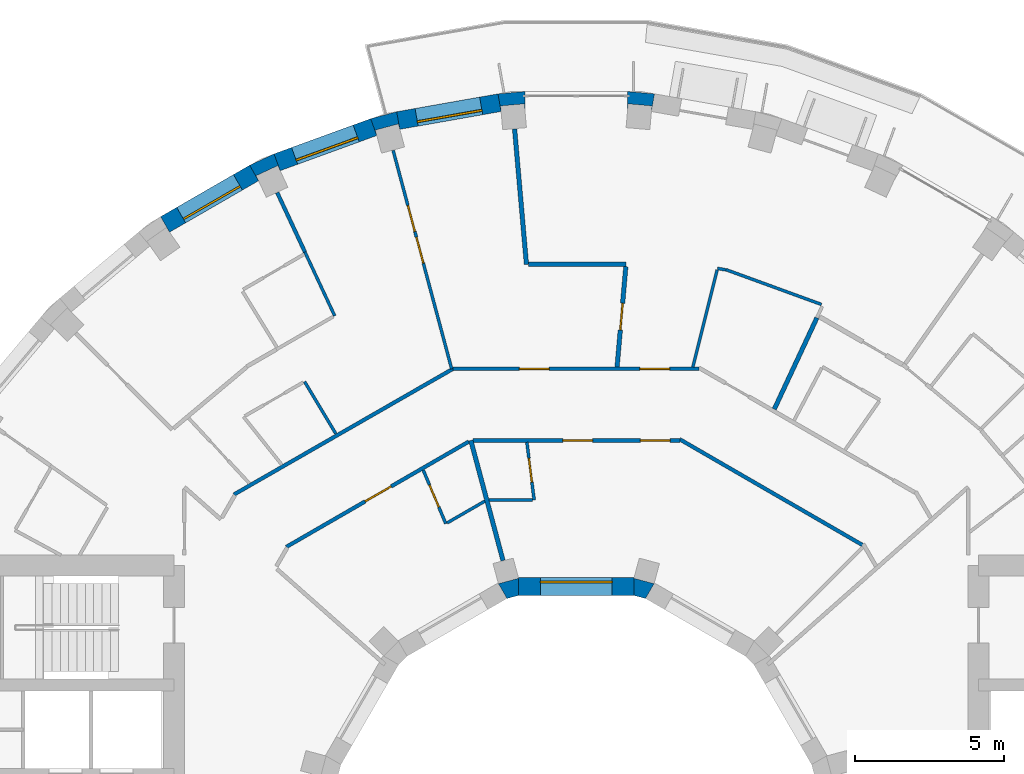
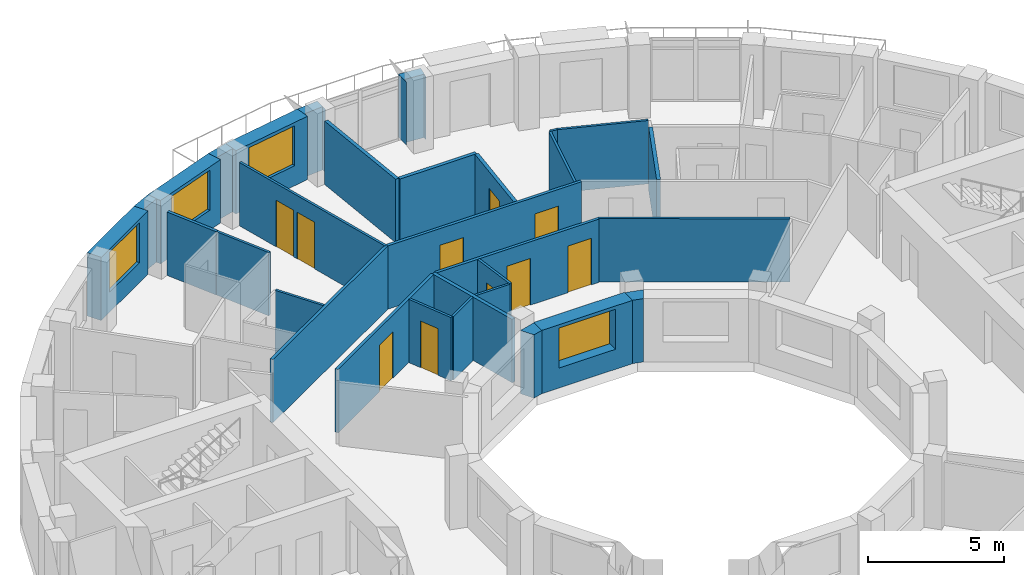
# One storey, part 10 of 13: 31 walls, 10 doors, 4 windows, 14 openings.
"""IFC4 building model written with IfcOpenShell, lengths in metres."""

import ifcopenshell
import ifcopenshell.guid

model = None  # the IFC model being written
_history = None  # IfcOwnerHistory: only IFC2X3 demands one
_inside = {}  # id of a spatial element -> (the spatial element, [elements in it])
_under = {}  # id of a project, library or spatial element -> (it, [spatial elements below it])
_declared = {}  # id of a project -> (the project, [libraries it declares])
_typed = {}  # id of a type object -> (the type object, [elements of that type])
_made_of = {}  # id of a material, layer set ... -> (it, [elements and type objects made of it])


def new_model(schema):
    """Start an empty IFC model of exactly this schema.

    Asked for "IFC4X3", IfcOpenShell would pick the latest addendum, in which some entities
    have other attributes; the version numbers below select the first issue.
    IFC2X3 requires an IfcOwnerHistory on every rooted entity: one is made here for all.
    """
    global model, _history
    if schema == "IFC4X3":
        model = ifcopenshell.file(schema_version=(4, 3, 0, 0))
    else:
        model = ifcopenshell.file(schema=schema)
    _inside.clear()
    _under.clear()
    _declared.clear()
    _typed.clear()
    _made_of.clear()
    _history = None
    if model.schema == "IFC2X3":
        org = make("IfcOrganization", Name="unknown")
        user = make(
            "IfcPersonAndOrganization",
            ThePerson=make("IfcPerson", FamilyName="unknown"),
            TheOrganization=org,
        )
        app = make(
            "IfcApplication",
            ApplicationDeveloper=org,
            Version="unknown",
            ApplicationFullName="unknown",
            ApplicationIdentifier="unknown",
        )
        _history = make(
            "IfcOwnerHistory",
            OwningUser=user,
            OwningApplication=app,
            ChangeAction="ADDED",
            CreationDate=0,
        )
    return model


def make(cls, **values):
    """One entity of the class cls with the attributes given. An attribute that is None is left unset."""
    return model.create_entity(
        cls, **{name: value for name, value in values.items() if value is not None}
    )


def rooted(cls, **values):
    """An entity with a GlobalId (a new one), such as an element, a storey or a relation."""
    return make(cls, GlobalId=ifcopenshell.guid.new(), OwnerHistory=_history, **values)


def si_unit(unit_type, name, prefix=None):
    """IfcSIUnit, for example si_unit("LENGTHUNIT", "METRE", prefix="MILLI")."""
    return make("IfcSIUnit", UnitType=unit_type, Prefix=prefix, Name=name)


def assignment(units):
    """IfcUnitAssignment: the units of a project."""
    return None if units is None else make("IfcUnitAssignment", Units=units)


def point(xyz):
    """IfcCartesianPoint."""
    return None if xyz is None else make("IfcCartesianPoint", Coordinates=xyz)


def direction(xyz):
    """IfcDirection."""
    return None if xyz is None else make("IfcDirection", DirectionRatios=xyz)


def frame(location, z_axis=None, x_axis=None):
    """IfcAxis2Placement3D, a coordinate frame: its origin and axes. An axis left out is left unset."""
    return make(
        "IfcAxis2Placement3D",
        Location=point(location),
        Axis=direction(z_axis),
        RefDirection=direction(x_axis),
    )


def frame_2d(location, x_axis=None):
    """IfcAxis2Placement2D, a coordinate frame in the plane: its origin and x axis."""
    return make(
        "IfcAxis2Placement2D", Location=point(location), RefDirection=direction(x_axis)
    )


def origin():
    """The frame at (0, 0, 0) with its axes left unset."""
    return frame((0.0, 0.0, 0.0))


def place(relative_to, where):
    """IfcLocalPlacement: puts the frame where relative to a parent placement (None: the world)."""
    return make(
        "IfcLocalPlacement", PlacementRelTo=relative_to, RelativePlacement=where
    )


def context(
    kind, dimensions, precision=None, world=None, true_north=None, identifier=None
):
    """IfcGeometricRepresentationContext, for example the 3D "Model" context."""
    return make(
        "IfcGeometricRepresentationContext",
        ContextIdentifier=identifier,
        ContextType=kind,
        CoordinateSpaceDimension=dimensions,
        Precision=precision,
        WorldCoordinateSystem=world,
        TrueNorth=true_north,
    )


def subcontext(parent, identifier, kind, view, scale=None):
    """IfcGeometricRepresentationSubContext, for example "Body" below "Model"."""
    return make(
        "IfcGeometricRepresentationSubContext",
        ContextIdentifier=identifier,
        ContextType=kind,
        ParentContext=parent,
        TargetScale=scale,
        TargetView=view,
    )


def project(units=None, contexts=None):
    """IfcProject with its units and contexts."""
    return rooted(
        "IfcProject",
        Name="project",
        RepresentationContexts=contexts,
        UnitsInContext=assignment(units),
    )


def spatial(cls, under=None, at=None, **own):
    """A site, building, storey or space (cls), placed at a placement, below another one or the project."""
    s = rooted(cls, ObjectPlacement=at, **own)
    if under is not None:
        _under.setdefault(under.id(), (under, []))[1].append(s)
    return s


def polyline(points):
    """IfcPolyline through the points."""
    return make("IfcPolyline", Points=[point(p) for p in points])


def profile(cls, at=None, kind="AREA", **sizes):
    """A parametric profile (cls). Its sizes go by their IFC names, for example OverallWidth=200.0."""
    return make(cls, ProfileType=kind, Position=at, **sizes)


def rectangle(**sizes):
    """IfcRectangleProfileDef."""
    return profile("IfcRectangleProfileDef", **sizes)


def outline(outer, holes=None, kind="AREA"):
    """IfcArbitraryClosedProfileDef: a profile drawn as a closed curve; with holes, ...WithVoids."""
    if holes is None:
        return make("IfcArbitraryClosedProfileDef", ProfileType=kind, OuterCurve=outer)
    return make(
        "IfcArbitraryProfileDefWithVoids",
        ProfileType=kind,
        OuterCurve=outer,
        InnerCurves=holes,
    )


def extrude(swept, where, along, depth):
    """IfcExtrudedAreaSolid: the profile swept, set in the frame where, extruded along a direction by depth."""
    return make(
        "IfcExtrudedAreaSolid",
        SweptArea=swept,
        Position=where,
        ExtrudedDirection=direction(along),
        Depth=depth,
    )


def shape(context_of_items, identifier, shape_type, items):
    """IfcShapeRepresentation: the items that make up one representation, for example the "Body"."""
    return make(
        "IfcShapeRepresentation",
        ContextOfItems=context_of_items,
        RepresentationIdentifier=identifier,
        RepresentationType=shape_type,
        Items=items,
    )


def material(Name=None, Category=None):
    """IfcMaterial."""
    return make("IfcMaterial", Name=Name, Category=Category)


def layer(
    of_material, thickness, ventilated=None, Name=None, Category=None, Priority=None
):
    """IfcMaterialLayer: one layer of a wall or slab, of a material (None: an air gap)."""
    return make(
        "IfcMaterialLayer",
        Material=of_material,
        LayerThickness=thickness,
        IsVentilated=ventilated,
        Name=Name,
        Category=Category,
        Priority=Priority,
    )


def layer_set(layers, Name=None):
    """IfcMaterialLayerSet."""
    return make("IfcMaterialLayerSet", MaterialLayers=layers, LayerSetName=Name)


def made_of(thing, what):
    """Note that an element or type object is made of a material, layer set ...; save() writes the relation."""
    if what is not None:
        _made_of.setdefault(what.id(), (what, []))[1].append(thing)
    return thing


def type_object(cls, material=None, **own):
    """A type object (cls), such as IfcWallType, which elements share."""
    return made_of(rooted(cls, **own), material)


def element(
    cls,
    number,
    at=None,
    inside=None,
    cuts=None,
    type_object=None,
    material=None,
    context=None,
    identifier="Body",
    shape_type=None,
    held_by="IfcProductDefinitionShape",
    body=None,
    shapes=None,
    **own,
):
    """One element of the class cls, such as IfcWall. Its Tag is "e" and its number.

    at: its placement. inside: the storey or other place that contains it. cuts: it is an
    opening in that element (IfcRelVoidsElement). A single representation is given by context,
    identifier, shape_type and body (its items); several are given by shapes. held_by: the class
    of the entity that holds the representations. save() writes the other relations.
    """
    e = rooted(cls, Tag="e%d" % number, ObjectPlacement=at, **own)
    if body is not None:
        shapes = [shape(context, identifier, shape_type, body)]
    if shapes is not None:
        e.Representation = make(held_by, Representations=shapes)
    if inside is not None:
        _inside.setdefault(inside.id(), (inside, []))[1].append(e)
    if cuts is not None:
        rooted(
            "IfcRelVoidsElement", RelatingBuildingElement=cuts, RelatedOpeningElement=e
        )
    if type_object is not None:
        _typed.setdefault(type_object.id(), (type_object, []))[1].append(e)
    return made_of(e, material)


def fill(opening, filler):
    """IfcRelFillsElement: the door or window that sits in an opening."""
    return rooted(
        "IfcRelFillsElement",
        RelatingOpeningElement=opening,
        RelatedBuildingElement=filler,
    )


def aggregate(whole, parts):
    """IfcRelAggregates: a whole, such as a stair, and the parts it consists of."""
    return rooted("IfcRelAggregates", RelatingObject=whole, RelatedObjects=parts)


def save(model, path):
    """Write the relations noted so far, then the file.

    IfcRelAggregates (storeys below a building ...), IfcRelContainedInSpatialStructure (elements
    in a storey), IfcRelDefinesByType, IfcRelAssociatesMaterial and IfcRelDeclares: one each for
    every whole, place, type object, material and project.
    """
    for whole, parts in _under.values():
        aggregate(whole, parts)
    for where, things in _inside.values():
        rooted(
            "IfcRelContainedInSpatialStructure",
            RelatedElements=things,
            RelatingStructure=where,
        )
    for kind, things in _typed.values():
        rooted("IfcRelDefinesByType", RelatedObjects=things, RelatingType=kind)
    for what, things in _made_of.values():
        rooted("IfcRelAssociatesMaterial", RelatedObjects=things, RelatingMaterial=what)
    for by, libraries in _declared.values():
        rooted("IfcRelDeclares", RelatingContext=by, RelatedDefinitions=libraries)
    model.write(path)


model = new_model("IFC4")

# Units and contexts
model_context = context("Model", 3, precision=1e-05, world=origin(), true_north=direction((0.0, 1.0)))
body_context = subcontext(model_context, "Body", "Model", "MODEL_VIEW")
ifc_project = project(units=[si_unit("LENGTHUNIT", "METRE"), si_unit("AREAUNIT", "SQUARE_METRE"), si_unit("VOLUMEUNIT", "CUBIC_METRE"), si_unit("PLANEANGLEUNIT", "RADIAN"), si_unit("MASSUNIT", "GRAM", prefix="KILO")], contexts=[model_context])

# Site, building, storey
site_placement = place(None, origin())
site = spatial("IfcSite", under=ifc_project, at=site_placement, CompositionType="ELEMENT")
building_placement = place(site_placement, origin())
building = spatial("IfcBuilding", under=site, at=building_placement, Name="Saqina Gate Tower", CompositionType="ELEMENT")
storey_placement = place(building_placement, frame((0.0, 0.0, 203.699951171875)))
storey = spatial("IfcBuildingStorey", under=building, at=storey_placement, Name="L58", CompositionType="ELEMENT", Elevation=203.699951171875)

# Walls
ifc_material_1 = material(Name="Brick masonry (buff)", Category="masonry")
wall_type_1 = type_object("IfcWallType", Name="BRICK PIER COPING BUFF", PredefinedType="SOLIDWALL", material=ifc_material_1)
wall_1_placement = place(storey_placement, origin())
element("IfcWall", 1, at=wall_1_placement, inside=storey, type_object=wall_type_1, Name="Pier cap L58 column 9", PredefinedType="SOLIDWALL", context=body_context, shape_type="SweptSolid", body=[
    extrude(outline(polyline([(2.6259765625, 24.825927734375), (1.724853515625, 24.90478515625), (1.724853515625, 24.304931640625), (1.7412109375, 24.491455078125), (2.5380859375, 24.421630859375), (2.521728515625, 24.235107421875), (2.6259765625, 24.825927734375)])), origin(), (0.0, 0.0, 1.0), 2.85009765625),
])
wall_2_placement = place(storey_placement, origin())
element("IfcWall", 2, at=wall_2_placement, inside=storey, type_object=wall_type_1, Name="Pier cap L58 column 10", PredefinedType="SOLIDWALL", context=body_context, shape_type="SweptSolid", body=[
    extrude(outline(polyline([(-1.724853515625, 24.90478515625), (-2.6259765625, 24.825927734375), (-2.521728515625, 24.235107421875), (-2.5380859375, 24.421630859375), (-1.7412109375, 24.491455078125), (-1.724853515625, 24.304931640625), (-1.724853515625, 24.90478515625)])), origin(), (0.0, 0.0, 1.0), 2.85009765625),
])
wall_3_placement = place(storey_placement, origin())
element("IfcWall", 3, at=wall_3_placement, inside=storey, type_object=wall_type_1, Name="Pier cap L58 column 11", PredefinedType="SOLIDWALL", context=body_context, shape_type="SweptSolid", body=[
    extrude(outline(polyline([(-6.0234375, 24.22705078125), (-6.897216796875, 23.992919921875), (-6.69189453125, 23.428955078125), (-6.740478515625, 23.610107421875), (-5.967529296875, 23.81689453125), (-5.919189453125, 23.635986328125), (-6.0234375, 24.22705078125)])), origin(), (0.0, 0.0, 1.0), 2.85009765625),
])
wall_4_placement = place(storey_placement, origin())
element("IfcWall", 4, at=wall_4_placement, inside=storey, type_object=wall_type_1, Name="Pier cap L58 column 12", PredefinedType="SOLIDWALL", context=body_context, shape_type="SweptSolid", body=[
    extrude(outline(polyline([(-10.958740234375, 22.4306640625), (-10.65869140625, 21.9111328125), (-10.73779296875, 22.080810546875), (-10.0126953125, 22.4189453125), (-9.93359375, 22.249267578125), (-10.138916015625, 22.81298828125), (-10.958740234375, 22.4306640625)])), origin(), (0.0, 0.0, 1.0), 2.85009765625),
])

# Wall, opening, window
ifc_material_2 = material(Name="Brick masonry (buff)", Category="masonry")
ifc_layer_1 = layer(ifc_material_2, 0.60009765625)
ifc_layer_set_1 = layer_set([ifc_layer_1], Name="FW-BRICK-BUFF")
wall_type_2 = type_object("IfcWallType", Name="FW-BRICK-BUFF", PredefinedType="SOLIDWALL", material=ifc_layer_set_1)
wall_5_placement = place(storey_placement, frame((-2.573974609375, 24.530517578125, 0.0), z_axis=(0.0, 0.0, 1.0), x_axis=(-0.984814892183, -0.173607684551, 0.0)))
wall_5 = element("IfcWall", 5, at=wall_5_placement, inside=storey, type_object=wall_type_2, Name="Facade wall L58 facet 10", PredefinedType="SOLIDWALL", context=body_context, shape_type="SweptSolid", body=[
    extrude(rectangle(XDim=3.44970703125, YDim=0.60009765625, at=frame_2d((1.724853515625, 0.0))), origin(), (0.0, 0.0, 1.0), 2.85009765625),
])
opening_1_placement = place(wall_5_placement, frame((0.625, 0.0, 0.89990234375)))
opening_1 = element("IfcOpeningElement", 6, at=opening_1_placement, cuts=wall_5, Name="Opening G17-W04", PredefinedType="OPENING", context=body_context, shape_type="SweptSolid", body=[
    extrude(rectangle(XDim=2.199951171875, YDim=1.800048828125, at=frame_2d((1.10009765625, 0.89990234375))), frame((0.0, 0.31201171875, 0.0), z_axis=(0.0, -1.0, 0.0), x_axis=(1.0, 0.0, 0.0)), (0.0, 0.0, 1.0), 0.6240234375),
])
ifc_material_3 = material(Name="Aluminium glazing", Category="aluminium")
window_type_1 = type_object("IfcWindowType", Name="WN-C", PartitioningType="SINGLE_PANEL", PredefinedType="WINDOW", material=ifc_material_3)
window_1_placement = place(opening_1_placement, origin())
window_1 = element("IfcWindow", 7, at=window_1_placement, inside=storey, type_object=window_type_1, Name="Window L58 facet 10", OverallHeight=1.800048828125, OverallWidth=2.199951171875, PartitioningType="SINGLE_PANEL", PredefinedType="WINDOW", context=body_context, shape_type="SweptSolid", body=[
    extrude(rectangle(XDim=2.199951171875, YDim=1.800048828125, at=frame_2d((1.10009765625, 0.89990234375))), frame((0.0, 0.179931640625, 0.0), z_axis=(0.0, -1.0, 0.0), x_axis=(1.0, 0.0, 0.0)), (0.0, 0.0, 1.0), 0.06005859375),
])
fill(opening_1, window_1)

wall_6_placement = place(storey_placement, frame((-6.79443359375, 23.7109375, 0.0), z_axis=(0.0, 0.0, 1.0), x_axis=(-0.93968799822, -0.342032843455, 0.0)))
wall_6 = element("IfcWall", 8, at=wall_6_placement, inside=storey, type_object=wall_type_2, Name="Facade wall L58 facet 11", PredefinedType="SOLIDWALL", context=body_context, shape_type="SweptSolid", body=[
    extrude(rectangle(XDim=3.44970703125, YDim=0.60009765625, at=frame_2d((1.724853515625, 0.0))), origin(), (0.0, 0.0, 1.0), 2.85009765625),
])
opening_2_placement = place(wall_6_placement, frame((0.625, 0.0, 0.89990234375)))
opening_2 = element("IfcOpeningElement", 9, at=opening_2_placement, cuts=wall_6, Name="Opening G17-W05", PredefinedType="OPENING", context=body_context, shape_type="SweptSolid", body=[
    extrude(rectangle(XDim=2.199951171875, YDim=1.800048828125, at=frame_2d((1.10009765625, 0.89990234375))), frame((0.0, 0.31201171875, 0.0), z_axis=(0.0, -1.0, 0.0), x_axis=(1.0, 0.0, 0.0)), (0.0, 0.0, 1.0), 0.6240234375),
])
window_2_placement = place(opening_2_placement, origin())
window_2 = element("IfcWindow", 10, at=window_2_placement, inside=storey, type_object=window_type_1, Name="Window L58 facet 11", OverallHeight=1.800048828125, OverallWidth=2.199951171875, PartitioningType="SINGLE_PANEL", PredefinedType="WINDOW", context=body_context, shape_type="SweptSolid", body=[
    extrude(rectangle(XDim=2.199951171875, YDim=1.800048828125, at=frame_2d((1.10009765625, 0.89990234375))), frame((0.0, 0.179931640625, 0.0), z_axis=(0.0, -1.0, 0.0), x_axis=(1.0, 0.0, 0.0)), (0.0, 0.0, 1.0), 0.06005859375),
])
fill(opening_2, window_2)

wall_7_placement = place(storey_placement, frame((-10.80859375, 22.1708984375, 0.0), z_axis=(0.0, 0.0, 1.0), x_axis=(-0.86602648383, -0.499998129301, 0.0)))
wall_7 = element("IfcWall", 11, at=wall_7_placement, inside=storey, type_object=wall_type_2, Name="Facade wall L58 facet 12", PredefinedType="SOLIDWALL", context=body_context, shape_type="SweptSolid", body=[
    extrude(rectangle(XDim=3.44970703125, YDim=0.60009765625, at=frame_2d((1.724853515625, 0.0))), origin(), (0.0, 0.0, 1.0), 2.85009765625),
])
opening_3_placement = place(wall_7_placement, frame((0.625, 0.0, 0.89990234375)))
opening_3 = element("IfcOpeningElement", 12, at=opening_3_placement, cuts=wall_7, Name="Opening G17-W06", PredefinedType="OPENING", context=body_context, shape_type="SweptSolid", body=[
    extrude(rectangle(XDim=2.199951171875, YDim=1.800048828125, at=frame_2d((1.10009765625, 0.89990234375))), frame((0.0, 0.31201171875, 0.0), z_axis=(0.0, -1.0, 0.0), x_axis=(1.0, 0.0, 0.0)), (0.0, 0.0, 1.0), 0.6240234375),
])
window_3_placement = place(opening_3_placement, origin())
window_3 = element("IfcWindow", 13, at=window_3_placement, inside=storey, type_object=window_type_1, Name="Window L58 facet 12", OverallHeight=1.800048828125, OverallWidth=2.199951171875, PartitioningType="SINGLE_PANEL", PredefinedType="WINDOW", context=body_context, shape_type="SweptSolid", body=[
    extrude(rectangle(XDim=2.199951171875, YDim=1.800048828125, at=frame_2d((1.10009765625, 0.89990234375))), frame((0.0, 0.179931640625, 0.0), z_axis=(0.0, -1.0, 0.0), x_axis=(1.0, 0.0, 0.0)), (0.0, 0.0, 1.0), 0.06005859375),
])
fill(opening_3, window_3)

ifc_material_4 = material(Name="Glazed ceramic tile", Category="ceramic")
ifc_layer_2 = layer(ifc_material_4, 0.60009765625)
ifc_layer_set_2 = layer_set([ifc_layer_2], Name="IW-TILE")
wall_type_3 = type_object("IfcWallType", Name="IW-TILE", PredefinedType="SOLIDWALL", material=ifc_layer_set_2)
wall_8_placement = place(storey_placement, frame((1.934814453125, 8.300048828125, 0.0), z_axis=(0.0, 0.0, 1.0), x_axis=(-1.0, 0.0, 0.0)))
wall_8 = element("IfcWall", 14, at=wall_8_placement, inside=storey, type_object=wall_type_3, Name="Well wall L58 facet 3", PredefinedType="SOLIDWALL", context=body_context, shape_type="SweptSolid", body=[
    extrude(rectangle(XDim=3.86962890625, YDim=0.60009765625, at=frame_2d((1.934814453125, 0.0))), origin(), (0.0, 0.0, 1.0), 2.85009765625),
])
opening_4_placement = place(wall_8_placement, frame((0.73486328125, 0.0, 0.89990234375)))
opening_4 = element("IfcOpeningElement", 15, at=opening_4_placement, cuts=wall_8, Name="Opening G17-W25", PredefinedType="OPENING", context=body_context, shape_type="SweptSolid", body=[
    extrude(rectangle(XDim=2.39990234375, YDim=1.800048828125, at=frame_2d((1.199951171875, 0.89990234375))), frame((0.0, 0.31201171875, 0.0), z_axis=(0.0, -1.0, 0.0), x_axis=(1.0, 0.0, 0.0)), (0.0, 0.0, 1.0), 0.6240234375),
])
ifc_material_5 = material(Name="Aluminium glazing", Category="aluminium")
window_type_2 = type_object("IfcWindowType", Name="WN-W", PartitioningType="SINGLE_PANEL", PredefinedType="WINDOW", material=ifc_material_5)
window_4_placement = place(opening_4_placement, origin())
window_4 = element("IfcWindow", 16, at=window_4_placement, inside=storey, type_object=window_type_2, Name="Well window L58 facet 3", OverallHeight=1.800048828125, OverallWidth=2.39990234375, PartitioningType="SINGLE_PANEL", PredefinedType="WINDOW", context=body_context, shape_type="SweptSolid", body=[
    extrude(rectangle(XDim=2.39990234375, YDim=1.800048828125, at=frame_2d((1.199951171875, 0.89990234375))), frame((0.0, -0.119873046875, 0.0), z_axis=(0.0, -1.0, 0.0), x_axis=(1.0, 0.0, 0.0)), (0.0, 0.0, 1.0), 0.06005859375),
])
fill(opening_4, window_4)

# Wall, opening, door
ifc_material_6 = material(Name="Gypsum board on steel studs, 100 mm", Category="steel")
ifc_layer_3 = layer(ifc_material_6, 0.10009765625)
ifc_layer_set_3 = layer_set([ifc_layer_3], Name="PARTITION 100")
wall_type_4 = type_object("IfcWallType", Name="PARTITION 100", PredefinedType="PARTITIONING", material=ifc_layer_set_3)
wall_9_placement = place(storey_placement, frame((-1.65625, 13.137939453125, 0.0), z_axis=(0.0, 0.0, 1.0), x_axis=(0.124988435199, -0.992158198609, 0.0)))
wall_9 = element("IfcWall", 17, at=wall_9_placement, inside=storey, type_object=wall_type_4, Name="PARTITION PW3-02", PredefinedType="PARTITIONING", context=body_context, shape_type="SweptSolid", body=[
    extrude(rectangle(XDim=1.953369140625, YDim=0.10009765625, at=frame_2d((0.9765625, 0.0))), origin(), (0.0, 0.0, 1.0), 2.85009765625),
])
opening_5_placement = place(wall_9_placement, frame((0.54541015625, 0.0, 0.0)))
opening_5 = element("IfcOpeningElement", 18, at=opening_5_placement, cuts=wall_9, Name="Opening G17-D15", PredefinedType="OPENING", context=body_context, shape_type="SweptSolid", body=[
    extrude(rectangle(XDim=0.800048828125, YDim=2.10009765625, at=frame_2d((0.39990234375, 1.050048828125))), frame((0.0, 0.06201171875, 0.0), z_axis=(0.0, -1.0, 0.0), x_axis=(1.0, 0.0, 0.0)), (0.0, 0.0, 1.0), 0.1240234375),
])
ifc_material_7 = material(Name="Timber door leaf, 800 mm", Category="wood")
door_type_1 = type_object("IfcDoorType", Name="DOOR 800 TIMBER", OperationType="SINGLE_SWING_LEFT", PredefinedType="DOOR", material=ifc_material_7)
door_1_placement = place(opening_5_placement, origin())
door_1 = element("IfcDoor", 19, at=door_1_placement, inside=storey, type_object=door_type_1, Name="DOOR G17-D15", OperationType="SINGLE_SWING_LEFT", OverallHeight=2.10009765625, OverallWidth=0.800048828125, PredefinedType="DOOR", context=body_context, shape_type="SweptSolid", body=[
    extrude(rectangle(XDim=0.800048828125, YDim=2.10009765625, at=frame_2d((0.39990234375, 1.050048828125))), frame((0.0, 0.02490234375, 0.0), z_axis=(0.0, -1.0, 0.0), x_axis=(1.0, 0.0, 0.0)), (0.0, 0.0, 1.0), 0.050048828125),
])
fill(opening_5, door_1)

# Wall, openings, doors
wall_10_placement = place(storey_placement, frame((-6.14404296875, 22.93115234375, 0.0), z_axis=(0.0, 0.0, 1.0), x_axis=(0.258789681819, -0.965933693679, 0.0)))
wall_10 = element("IfcWall", 20, at=wall_10_placement, inside=storey, type_object=wall_type_4, Name="PARTITION PW3-03", PredefinedType="PARTITIONING", context=body_context, shape_type="SweptSolid", body=[
    extrude(rectangle(XDim=7.589599609375, YDim=0.10009765625, at=frame_2d((3.794921875, 0.0))), origin(), (0.0, 0.0, 1.0), 2.85009765625),
])
opening_6_placement = place(wall_10_placement, frame((3.016357421875, 0.0, 0.0)))
opening_6 = element("IfcOpeningElement", 21, at=opening_6_placement, cuts=wall_10, Name="Opening G17-D16", PredefinedType="OPENING", context=body_context, shape_type="SweptSolid", body=[
    extrude(rectangle(XDim=0.89990234375, YDim=2.10009765625, at=frame_2d((0.449951171875, 1.050048828125))), frame((0.0, 0.06201171875, 0.0), z_axis=(0.0, -1.0, 0.0), x_axis=(1.0, 0.0, 0.0)), (0.0, 0.0, 1.0), 0.1240234375),
])
opening_7_placement = place(wall_10_placement, frame((1.916259765625, 0.0, 0.0)))
opening_7 = element("IfcOpeningElement", 22, at=opening_7_placement, cuts=wall_10, Name="Opening G17-D17", PredefinedType="OPENING", context=body_context, shape_type="SweptSolid", body=[
    extrude(rectangle(XDim=0.89990234375, YDim=2.10009765625, at=frame_2d((0.449951171875, 1.050048828125))), frame((0.0, 0.06201171875, 0.0), z_axis=(0.0, -1.0, 0.0), x_axis=(1.0, 0.0, 0.0)), (0.0, 0.0, 1.0), 0.1240234375),
])
ifc_material_8 = material(Name="Timber door leaf, 900 mm", Category="wood")
door_type_2 = type_object("IfcDoorType", Name="DOOR 900 TIMBER", OperationType="SINGLE_SWING_LEFT", PredefinedType="DOOR", material=ifc_material_8)
door_2_placement = place(opening_6_placement, frame((0.89990234375, 0.0, 0.0), z_axis=(0.0, 0.0, 1.0), x_axis=(-1.0, 0.0, 0.0)))
door_2 = element("IfcDoor", 23, at=door_2_placement, inside=storey, type_object=door_type_2, Name="DOOR G17-D16", OperationType="SINGLE_SWING_RIGHT", OverallHeight=2.10009765625, OverallWidth=0.89990234375, PredefinedType="DOOR", context=body_context, shape_type="SweptSolid", body=[
    extrude(rectangle(XDim=0.89990234375, YDim=2.10009765625, at=frame_2d((0.449951171875, 1.050048828125))), frame((0.0, 0.02490234375, 0.0), z_axis=(0.0, -1.0, 0.0), x_axis=(1.0, 0.0, 0.0)), (0.0, 0.0, 1.0), 0.050048828125),
])
fill(opening_6, door_2)
door_3_placement = place(opening_7_placement, frame((0.89990234375, 0.0, 0.0), z_axis=(0.0, 0.0, 1.0), x_axis=(-1.0, 0.0, 0.0)))
door_3 = element("IfcDoor", 24, at=door_3_placement, inside=storey, type_object=door_type_2, Name="DOOR G17-D17", OperationType="SINGLE_SWING_RIGHT", OverallHeight=2.10009765625, OverallWidth=0.89990234375, PredefinedType="DOOR", context=body_context, shape_type="SweptSolid", body=[
    extrude(rectangle(XDim=0.89990234375, YDim=2.10009765625, at=frame_2d((0.449951171875, 1.050048828125))), frame((0.0, 0.02490234375, 0.0), z_axis=(0.0, -1.0, 0.0), x_axis=(1.0, 0.0, 0.0)), (0.0, 0.0, 1.0), 0.050048828125),
])
fill(opening_7, door_3)

# Wall, opening, door
wall_11_placement = place(storey_placement, frame((-5.134521484375, 12.2060546875, 0.0), z_axis=(0.0, 0.0, 1.0), x_axis=(0.387906100406, -0.921698897291, 0.0)))
wall_11 = element("IfcWall", 25, at=wall_11_placement, inside=storey, type_object=wall_type_4, Name="PARTITION PW3-06", PredefinedType="PARTITIONING", context=body_context, shape_type="SweptSolid", body=[
    extrude(rectangle(XDim=1.952880859375, YDim=0.10009765625, at=frame_2d((0.9765625, 0.0))), origin(), (0.0, 0.0, 1.0), 2.85009765625),
])
opening_8_placement = place(wall_11_placement, frame((0.544921875, 0.0, 0.0)))
opening_8 = element("IfcOpeningElement", 26, at=opening_8_placement, cuts=wall_11, Name="Opening G17-D18", PredefinedType="OPENING", context=body_context, shape_type="SweptSolid", body=[
    extrude(rectangle(XDim=0.800048828125, YDim=2.10009765625, at=frame_2d((0.39990234375, 1.050048828125))), frame((0.0, 0.06201171875, 0.0), z_axis=(0.0, -1.0, 0.0), x_axis=(1.0, 0.0, 0.0)), (0.0, 0.0, 1.0), 0.1240234375),
])
door_4_placement = place(opening_8_placement, frame((0.800048828125, 0.0, 0.0), z_axis=(0.0, 0.0, 1.0), x_axis=(-1.0, 0.0, 0.0)))
door_4 = element("IfcDoor", 27, at=door_4_placement, inside=storey, type_object=door_type_1, Name="DOOR G17-D18", OperationType="SINGLE_SWING_RIGHT", OverallHeight=2.10009765625, OverallWidth=0.800048828125, PredefinedType="DOOR", context=body_context, shape_type="SweptSolid", body=[
    extrude(rectangle(XDim=0.800048828125, YDim=2.10009765625, at=frame_2d((0.39990234375, 1.050048828125))), frame((0.0, 0.02490234375, 0.0), z_axis=(0.0, -1.0, 0.0), x_axis=(1.0, 0.0, 0.0)), (0.0, 0.0, 1.0), 0.050048828125),
])
fill(opening_8, door_4)

# Walls
wall_12_placement = place(storey_placement, frame((-9.1025390625, 19.51904296875, 0.0), z_axis=(0.0, 0.0, 1.0), x_axis=(0.422834478158, -0.906206932263, 0.0)))
element("IfcWall", 28, at=wall_12_placement, inside=storey, type_object=wall_type_4, Name="PARTITION PW3-08", PredefinedType="PARTITIONING", context=body_context, shape_type="SweptSolid", body=[
    extrude(rectangle(XDim=2.359130859375, YDim=0.10009765625, at=frame_2d((1.1796875, 0.0))), origin(), (0.0, 0.0, 1.0), 2.85009765625),
])
wall_13_placement = place(storey_placement, frame((-9.114990234375, 15.171142578125, 0.0), z_axis=(0.0, 0.0, 1.0), x_axis=(0.514495755428, -0.857492925713, 0.0)))
element("IfcWall", 29, at=wall_13_placement, inside=storey, type_object=wall_type_4, Name="PARTITION PW3-11", PredefinedType="PARTITIONING", context=body_context, shape_type="SweptSolid", body=[
    extrude(rectangle(XDim=2.031494140625, YDim=0.10009765625, at=frame_2d((1.015625, 0.0))), origin(), (0.0, 0.0, 1.0), 2.85009765625),
])
wall_14_placement = place(storey_placement, frame((5.020263671875, 18.9296875, 0.0), z_axis=(0.0, 0.0, 1.0), x_axis=(0.939619985891, -0.342219640165, 0.0)))
element("IfcWall", 30, at=wall_14_placement, inside=storey, type_object=wall_type_4, Name="PARTITION PW3-33", PredefinedType="PARTITIONING", context=body_context, shape_type="SweptSolid", body=[
    extrude(rectangle(XDim=3.41357421875, YDim=0.10009765625, at=frame_2d((1.706787109375, 0.0))), origin(), (0.0, 0.0, 1.0), 2.85009765625),
])
wall_15_placement = place(storey_placement, frame((4.739013671875, 18.97021484375, 0.0), z_axis=(0.0, 0.0, 1.0), x_axis=(0.984670903861, -0.174422507403, 0.0)))
element("IfcWall", 31, at=wall_15_placement, inside=storey, type_object=wall_type_4, Name="PARTITION PW3-34", PredefinedType="PARTITIONING", context=body_context, shape_type="SweptSolid", body=[
    extrude(rectangle(XDim=0.2841796875, YDim=0.10009765625, at=frame_2d((0.14208984375, 0.0))), origin(), (0.0, 0.0, 1.0), 2.85009765625),
])
wall_16_placement = place(storey_placement, frame((-2.926025390625, 11.199951171875, 0.0), z_axis=(0.0, 0.0, 1.0), x_axis=(1.0, 0.0, 0.0)))
element("IfcWall", 32, at=wall_16_placement, inside=storey, type_object=wall_type_4, Name="PARTITION PW3-38", PredefinedType="PARTITIONING", context=body_context, shape_type="SweptSolid", body=[
    extrude(rectangle(XDim=1.464111328125, YDim=0.10009765625, at=frame_2d((0.73193359375, 0.0))), origin(), (0.0, 0.0, 1.0), 2.85009765625),
])
wall_17_placement = place(storey_placement, frame((-4.333740234375, 10.430908203125, 0.0), z_axis=(0.0, 0.0, 1.0), x_axis=(0.866110606688, 0.499852395195, 0.0)))
element("IfcWall", 33, at=wall_17_placement, inside=storey, type_object=wall_type_4, Name="PARTITION PW3-43", PredefinedType="PARTITIONING", context=body_context, shape_type="SweptSolid", body=[
    extrude(rectangle(XDim=1.4638671875, YDim=0.10009765625, at=frame_2d((0.73193359375, 0.0))), origin(), (0.0, 0.0, 1.0), 2.85009765625),
])
wall_18_placement = place(storey_placement, frame((3.912109375, 15.66064453125, 0.0), z_axis=(0.0, 0.0, 1.0), x_axis=(0.24239884799, 0.970176684163, 0.0)))
element("IfcWall", 34, at=wall_18_placement, inside=storey, type_object=wall_type_4, Name="PARTITION PW3-65", PredefinedType="PARTITIONING", context=body_context, shape_type="SweptSolid", body=[
    extrude(rectangle(XDim=3.35986328125, YDim=0.10009765625, at=frame_2d((1.679931640625, 0.0))), origin(), (0.0, 0.0, 1.0), 2.85009765625),
])
ifc_material_9 = material(Name="Gypsum board on steel studs, 125 mm, fire rated", Category="steel")
ifc_layer_4 = layer(ifc_material_9, 0.125)
ifc_layer_set_4 = layer_set([ifc_layer_4], Name="PARTITION EI 30 125")
wall_type_5 = type_object("IfcWallType", Name="PARTITION EI 30 125", PredefinedType="PARTITIONING", material=ifc_layer_set_4)
wall_19_placement = place(storey_placement, frame((-10.033203125, 21.515625, 0.0), z_axis=(0.0, 0.0, 1.0), x_axis=(0.422709503006, -0.906265234944, 0.0)))
element("IfcWall", 35, at=wall_19_placement, inside=storey, type_object=wall_type_5, Name="PARTITION PW1-01", PredefinedType="PARTITIONING", context=body_context, shape_type="SweptSolid", body=[
    extrude(rectangle(XDim=2.202880859375, YDim=0.125, at=frame_2d((1.1015625, 0.0))), origin(), (0.0, 0.0, 1.0), 2.85009765625),
])
wall_20_placement = place(storey_placement, frame((3.474609375, 13.236083984375, 0.0), z_axis=(0.0, 0.0, 1.0), x_axis=(0.865567882145, -0.500791614745, 0.0)))
element("IfcWall", 36, at=wall_20_placement, inside=storey, type_object=wall_type_5, Name="PARTITION PW1-15", PredefinedType="PARTITIONING", context=body_context, shape_type="SweptSolid", body=[
    extrude(rectangle(XDim=7.0810546875, YDim=0.125, at=frame_2d((3.54052734375, 0.0))), origin(), (0.0, 0.0, 1.0), 2.85009765625),
])

# Wall, openings, doors
wall_21_placement = place(storey_placement, frame((-3.4619140625, 13.199951171875, 0.0), z_axis=(0.0, 0.0, 1.0), x_axis=(1.0, 0.0, 0.0)))
wall_21 = element("IfcWall", 37, at=wall_21_placement, inside=storey, type_object=wall_type_5, Name="PARTITION PW1-23", PredefinedType="PARTITIONING", context=body_context, shape_type="SweptSolid", body=[
    extrude(rectangle(XDim=6.9365234375, YDim=0.125, at=frame_2d((3.46826171875, 0.0))), origin(), (0.0, 0.0, 1.0), 2.85009765625),
])
opening_9_placement = place(wall_21_placement, frame((5.614013671875, 0.0, 0.0)))
opening_9 = element("IfcOpeningElement", 38, at=opening_9_placement, cuts=wall_21, Name="Opening G17-D10", PredefinedType="OPENING", context=body_context, shape_type="SweptSolid", body=[
    extrude(rectangle(XDim=1.0, YDim=2.10009765625, at=frame_2d((0.5, 1.050048828125))), frame((0.0, 0.074462890625, 0.0), z_axis=(0.0, -1.0, 0.0), x_axis=(1.0, 0.0, 0.0)), (0.0, 0.0, 1.0), 0.14892578125),
])
opening_10_placement = place(wall_21_placement, frame((3.012939453125, 0.0, 0.0)))
opening_10 = element("IfcOpeningElement", 39, at=opening_10_placement, cuts=wall_21, Name="Opening G17-D13", PredefinedType="OPENING", context=body_context, shape_type="SweptSolid", body=[
    extrude(rectangle(XDim=1.0, YDim=2.10009765625, at=frame_2d((0.5, 1.050048828125))), frame((0.0, 0.074462890625, 0.0), z_axis=(0.0, -1.0, 0.0), x_axis=(1.0, 0.0, 0.0)), (0.0, 0.0, 1.0), 0.14892578125),
])
ifc_material_10 = material(Name="Fire door leaf EI 30, 1000 mm")
door_type_3 = type_object("IfcDoorType", Name="DOOR 1000 EI 30", OperationType="SINGLE_SWING_LEFT", PredefinedType="DOOR", material=ifc_material_10)
door_5_placement = place(opening_9_placement, frame((1.0, 0.0, 0.0), z_axis=(0.0, 0.0, 1.0), x_axis=(-1.0, 0.0, 0.0)))
door_5 = element("IfcDoor", 40, at=door_5_placement, inside=storey, type_object=door_type_3, Name="DOOR G17-D10", OperationType="SINGLE_SWING_LEFT", OverallHeight=2.10009765625, OverallWidth=1.0, PredefinedType="DOOR", context=body_context, shape_type="SweptSolid", body=[
    extrude(rectangle(XDim=1.0, YDim=2.10009765625, at=frame_2d((0.5, 1.050048828125))), frame((0.0, 0.02490234375, 0.0), z_axis=(0.0, -1.0, 0.0), x_axis=(1.0, 0.0, 0.0)), (0.0, 0.0, 1.0), 0.050048828125),
])
fill(opening_9, door_5)
door_6_placement = place(opening_10_placement, frame((1.0, 0.0, 0.0), z_axis=(0.0, 0.0, 1.0), x_axis=(-1.0, 0.0, 0.0)))
door_6 = element("IfcDoor", 41, at=door_6_placement, inside=storey, type_object=door_type_3, Name="DOOR G17-D13", OperationType="SINGLE_SWING_LEFT", OverallHeight=2.10009765625, OverallWidth=1.0, PredefinedType="DOOR", context=body_context, shape_type="SweptSolid", body=[
    extrude(rectangle(XDim=1.0, YDim=2.10009765625, at=frame_2d((0.5, 1.050048828125))), frame((0.0, 0.02490234375, 0.0), z_axis=(0.0, -1.0, 0.0), x_axis=(1.0, 0.0, 0.0)), (0.0, 0.0, 1.0), 0.050048828125),
])
fill(opening_10, door_6)

wall_22_placement = place(storey_placement, frame((-4.12890625, 15.60009765625, 0.0), z_axis=(0.0, 0.0, 1.0), x_axis=(1.0, 0.0, 0.0)))
wall_22 = element("IfcWall", 42, at=wall_22_placement, inside=storey, type_object=wall_type_5, Name="PARTITION PW1-24", PredefinedType="PARTITIONING", context=body_context, shape_type="SweptSolid", body=[
    extrude(rectangle(XDim=8.246337890625, YDim=0.125, at=frame_2d((4.123046875, 0.0))), origin(), (0.0, 0.0, 1.0), 2.85009765625),
])
opening_11_placement = place(wall_22_placement, frame((6.260009765625, 0.0, 0.0)))
opening_11 = element("IfcOpeningElement", 43, at=opening_11_placement, cuts=wall_22, Name="Opening G17-D11", PredefinedType="OPENING", context=body_context, shape_type="SweptSolid", body=[
    extrude(rectangle(XDim=1.0, YDim=2.10009765625, at=frame_2d((0.5, 1.050048828125))), frame((0.0, 0.074462890625, 0.0), z_axis=(0.0, -1.0, 0.0), x_axis=(1.0, 0.0, 0.0)), (0.0, 0.0, 1.0), 0.14892578125),
])
opening_12_placement = place(wall_22_placement, frame((2.221435546875, 0.0, 0.0)))
opening_12 = element("IfcOpeningElement", 44, at=opening_12_placement, cuts=wall_22, Name="Opening G17-D14", PredefinedType="OPENING", context=body_context, shape_type="SweptSolid", body=[
    extrude(rectangle(XDim=1.0, YDim=2.10009765625, at=frame_2d((0.5, 1.050048828125))), frame((0.0, 0.074462890625, 0.0), z_axis=(0.0, -1.0, 0.0), x_axis=(1.0, 0.0, 0.0)), (0.0, 0.0, 1.0), 0.14892578125),
])
door_7_placement = place(opening_11_placement, frame((1.0, 0.0, 0.0), z_axis=(0.0, 0.0, 1.0), x_axis=(-1.0, 0.0, 0.0)))
door_7 = element("IfcDoor", 45, at=door_7_placement, inside=storey, type_object=door_type_3, Name="DOOR G17-D11", OperationType="SINGLE_SWING_LEFT", OverallHeight=2.10009765625, OverallWidth=1.0, PredefinedType="DOOR", context=body_context, shape_type="SweptSolid", body=[
    extrude(rectangle(XDim=1.0, YDim=2.10009765625, at=frame_2d((0.5, 1.050048828125))), frame((0.0, 0.02490234375, 0.0), z_axis=(0.0, -1.0, 0.0), x_axis=(1.0, 0.0, 0.0)), (0.0, 0.0, 1.0), 0.050048828125),
])
fill(opening_11, door_7)
door_8_placement = place(opening_12_placement, origin())
door_8 = element("IfcDoor", 46, at=door_8_placement, inside=storey, type_object=door_type_3, Name="DOOR G17-D14", OperationType="SINGLE_SWING_LEFT", OverallHeight=2.10009765625, OverallWidth=1.0, PredefinedType="DOOR", context=body_context, shape_type="SweptSolid", body=[
    extrude(rectangle(XDim=1.0, YDim=2.10009765625, at=frame_2d((0.5, 1.050048828125))), frame((0.0, 0.02490234375, 0.0), z_axis=(0.0, -1.0, 0.0), x_axis=(1.0, 0.0, 0.0)), (0.0, 0.0, 1.0), 0.050048828125),
])
fill(opening_12, door_8)

# Wall
wall_23_placement = place(storey_placement, frame((-11.483642578125, 11.384521484375, 0.0), z_axis=(0.0, 0.0, 1.0), x_axis=(0.867290156456, 0.497802957519, 0.0)))
element("IfcWall", 47, at=wall_23_placement, inside=storey, type_object=wall_type_5, Name="PARTITION PW1-27", PredefinedType="PARTITIONING", context=body_context, shape_type="SweptSolid", body=[
    extrude(rectangle(XDim=8.480224609375, YDim=0.125, at=frame_2d((4.240234375, 0.0))), origin(), (0.0, 0.0, 1.0), 2.85009765625),
])

# Wall, opening, door
wall_24_placement = place(storey_placement, frame((-9.7255859375, 9.626953125, 0.0), z_axis=(0.0, 0.0, 1.0), x_axis=(0.866011939619, 0.500023319893, 0.0)))
wall_24 = element("IfcWall", 48, at=wall_24_placement, inside=storey, type_object=wall_type_5, Name="PARTITION PW1-31", PredefinedType="PARTITIONING", context=body_context, shape_type="SweptSolid", body=[
    extrude(rectangle(XDim=7.071044921875, YDim=0.125, at=frame_2d((3.53564453125, 0.0))), origin(), (0.0, 0.0, 1.0), 2.85009765625),
])
opening_13_placement = place(wall_24_placement, frame((3.0576171875, 0.0, 0.0)))
opening_13 = element("IfcOpeningElement", 49, at=opening_13_placement, cuts=wall_24, Name="Opening G17-D20", PredefinedType="OPENING", context=body_context, shape_type="SweptSolid", body=[
    extrude(rectangle(XDim=1.0, YDim=2.10009765625, at=frame_2d((0.5, 1.050048828125))), frame((0.0, 0.074462890625, 0.0), z_axis=(0.0, -1.0, 0.0), x_axis=(1.0, 0.0, 0.0)), (0.0, 0.0, 1.0), 0.14892578125),
])
door_9_placement = place(opening_13_placement, frame((1.0, 0.0, 0.0), z_axis=(0.0, 0.0, 1.0), x_axis=(-1.0, 0.0, 0.0)))
door_9 = element("IfcDoor", 50, at=door_9_placement, inside=storey, type_object=door_type_3, Name="DOOR G17-D20", OperationType="SINGLE_SWING_LEFT", OverallHeight=2.10009765625, OverallWidth=1.0, PredefinedType="DOOR", context=body_context, shape_type="SweptSolid", body=[
    extrude(rectangle(XDim=1.0, YDim=2.10009765625, at=frame_2d((0.5, 1.050048828125))), frame((0.0, 0.02490234375, 0.0), z_axis=(0.0, -1.0, 0.0), x_axis=(1.0, 0.0, 0.0)), (0.0, 0.0, 1.0), 0.050048828125),
])
fill(opening_13, door_9)

# Walls
ifc_material_11 = material(Name="Gypsum board on steel studs, 150 mm, fire rated", Category="steel")
ifc_layer_5 = layer(ifc_material_11, 0.14990234375)
ifc_layer_set_5 = layer_set([ifc_layer_5], Name="PARTITION EI 60 150")
wall_type_6 = type_object("IfcWallType", Name="PARTITION EI 60 150", PredefinedType="PARTITIONING", material=ifc_layer_set_5)
wall_25_placement = place(storey_placement, frame((-2.068603515625, 23.649658203125, 0.0), z_axis=(0.0, 0.0, 1.0), x_axis=(0.087195502411, -0.996191218772, 0.0)))
element("IfcWall", 51, at=wall_25_placement, inside=storey, type_object=wall_type_6, Name="PARTITION PW2-01", PredefinedType="PARTITIONING", context=body_context, shape_type="SweptSolid", body=[
    extrude(rectangle(XDim=4.56103515625, YDim=0.14990234375, at=frame_2d((2.280517578125, 0.0))), origin(), (0.0, 0.0, 1.0), 2.85009765625),
])
wall_26_placement = place(storey_placement, frame((-3.537109375, 13.199951171875, 0.0), z_axis=(0.0, 0.0, 1.0), x_axis=(0.258907621224, -0.965902088036, 0.0)))
element("IfcWall", 52, at=wall_26_placement, inside=storey, type_object=wall_type_6, Name="PARTITION PW2-02", PredefinedType="PARTITIONING", context=body_context, shape_type="SweptSolid", body=[
    extrude(rectangle(XDim=4.173583984375, YDim=0.14990234375, at=frame_2d((2.0869140625, 0.0))), origin(), (0.0, 0.0, 1.0), 2.85009765625),
])
wall_27_placement = place(storey_placement, frame((-1.593994140625, 19.10498046875, 0.0), z_axis=(0.0, 0.0, 1.0), x_axis=(1.0, 0.0, 0.0)))
element("IfcWall", 53, at=wall_27_placement, inside=storey, type_object=wall_type_6, Name="PARTITION PW2-04", PredefinedType="PARTITIONING", context=body_context, shape_type="SweptSolid", body=[
    extrude(rectangle(XDim=3.262939453125, YDim=0.14990234375, at=frame_2d((1.63134765625, 0.0))), origin(), (0.0, 0.0, 1.0), 2.85009765625),
])
wall_28_placement = place(storey_placement, frame((6.644775390625, 14.248779296875, 0.0), z_axis=(0.0, 0.0, 1.0), x_axis=(0.422581046751, 0.906325139741, 0.0)))
element("IfcWall", 54, at=wall_28_placement, inside=storey, type_object=wall_type_6, Name="PARTITION PW2-06", PredefinedType="PARTITIONING", context=body_context, shape_type="SweptSolid", body=[
    extrude(rectangle(XDim=3.380859375, YDim=0.14990234375, at=frame_2d((1.6904296875, 0.0))), origin(), (0.0, 0.0, 1.0), 2.85009765625),
])

# Wall, opening, door
wall_29_placement = place(storey_placement, frame((1.370361328125, 15.662353515625, 0.0), z_axis=(0.0, 0.0, 1.0), x_axis=(0.086536105046, 0.996248715193, 0.0)))
wall_29 = element("IfcWall", 55, at=wall_29_placement, inside=storey, type_object=wall_type_6, Name="PARTITION PW2-08", PredefinedType="PARTITIONING", context=body_context, shape_type="SweptSolid", body=[
    extrude(rectangle(XDim=3.3798828125, YDim=0.14990234375, at=frame_2d((1.68994140625, 0.0))), origin(), (0.0, 0.0, 1.0), 2.85009765625),
])
opening_14_placement = place(wall_29_placement, frame((1.24609375, 0.0, 0.0)))
opening_14 = element("IfcOpeningElement", 56, at=opening_14_placement, cuts=wall_29, Name="Opening G17-D12", PredefinedType="OPENING", context=body_context, shape_type="SweptSolid", body=[
    extrude(rectangle(XDim=0.89990234375, YDim=2.10009765625, at=frame_2d((0.449951171875, 1.050048828125))), frame((0.0, 0.0869140625, 0.0), z_axis=(0.0, -1.0, 0.0), x_axis=(1.0, 0.0, 0.0)), (0.0, 0.0, 1.0), 0.173828125),
])
ifc_material_12 = material(Name="Fire door leaf EI 30, 900 mm")
door_type_4 = type_object("IfcDoorType", Name="DOOR 900 EI 30", OperationType="SINGLE_SWING_LEFT", PredefinedType="DOOR", material=ifc_material_12)
door_10_placement = place(opening_14_placement, frame((0.89990234375, 0.0, 0.0), z_axis=(0.0, 0.0, 1.0), x_axis=(-1.0, 0.0, 0.0)))
door_10 = element("IfcDoor", 57, at=door_10_placement, inside=storey, type_object=door_type_4, Name="DOOR G17-D12", OperationType="SINGLE_SWING_LEFT", OverallHeight=2.10009765625, OverallWidth=0.89990234375, PredefinedType="DOOR", context=body_context, shape_type="SweptSolid", body=[
    extrude(rectangle(XDim=0.89990234375, YDim=2.10009765625, at=frame_2d((0.449951171875, 1.050048828125))), frame((0.0, 0.02490234375, 0.0), z_axis=(0.0, -1.0, 0.0), x_axis=(1.0, 0.0, 0.0)), (0.0, 0.0, 1.0), 0.050048828125),
])
fill(opening_14, door_10)

# Walls
ifc_material_13 = material(Name="Glazed ceramic tile", Category="ceramic")
wall_type_7 = type_object("IfcWallType", Name="TILE PIER COPING", PredefinedType="SOLIDWALL", material=ifc_material_13)
wall_30_placement = place(storey_placement, origin())
element("IfcWall", 58, at=wall_30_placement, inside=storey, type_object=wall_type_7, Name="Well pier cap L58 column 3", PredefinedType="SOLIDWALL", context=body_context, shape_type="SweptSolid", body=[
    extrude(outline(polyline([(1.934814453125, 8.573486328125), (1.934814453125, 8.0), (2.32421875, 7.895751953125), (2.611083984375, 8.392333984375), (1.934814453125, 8.573486328125)])), origin(), (0.0, 0.0, 1.0), 2.85009765625),
])
wall_31_placement = place(storey_placement, origin())
element("IfcWall", 59, at=wall_31_placement, inside=storey, type_object=wall_type_7, Name="Well pier cap L58 column 4", PredefinedType="SOLIDWALL", context=body_context, shape_type="SweptSolid", body=[
    extrude(outline(polyline([(-1.934814453125, 8.0), (-1.934814453125, 8.573486328125), (-2.611083984375, 8.392333984375), (-2.32421875, 7.895751953125), (-1.934814453125, 8.0)])), origin(), (0.0, 0.0, 1.0), 2.85009765625),
])

save(model, "model.ifc")
